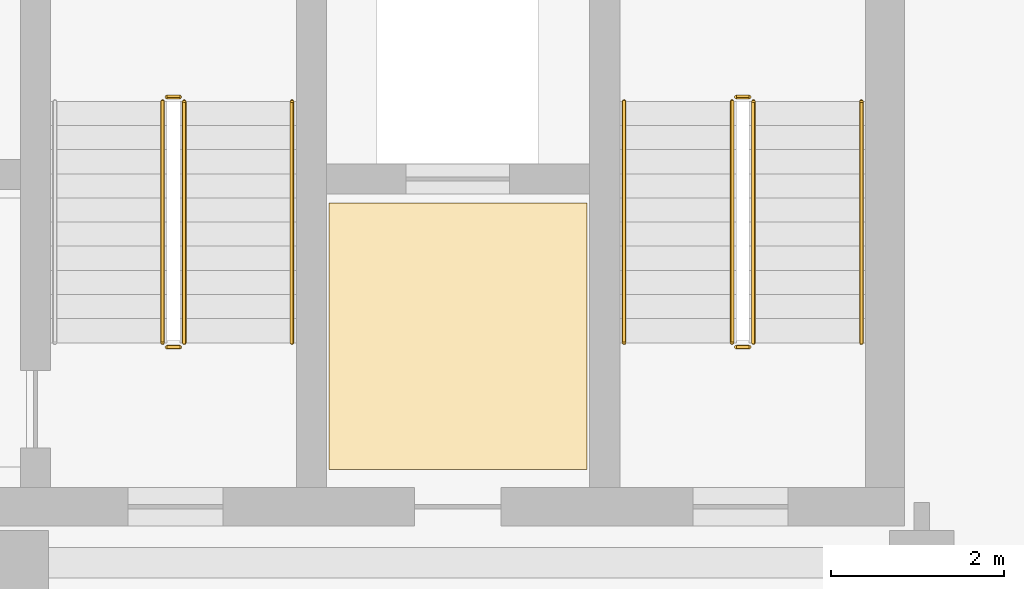
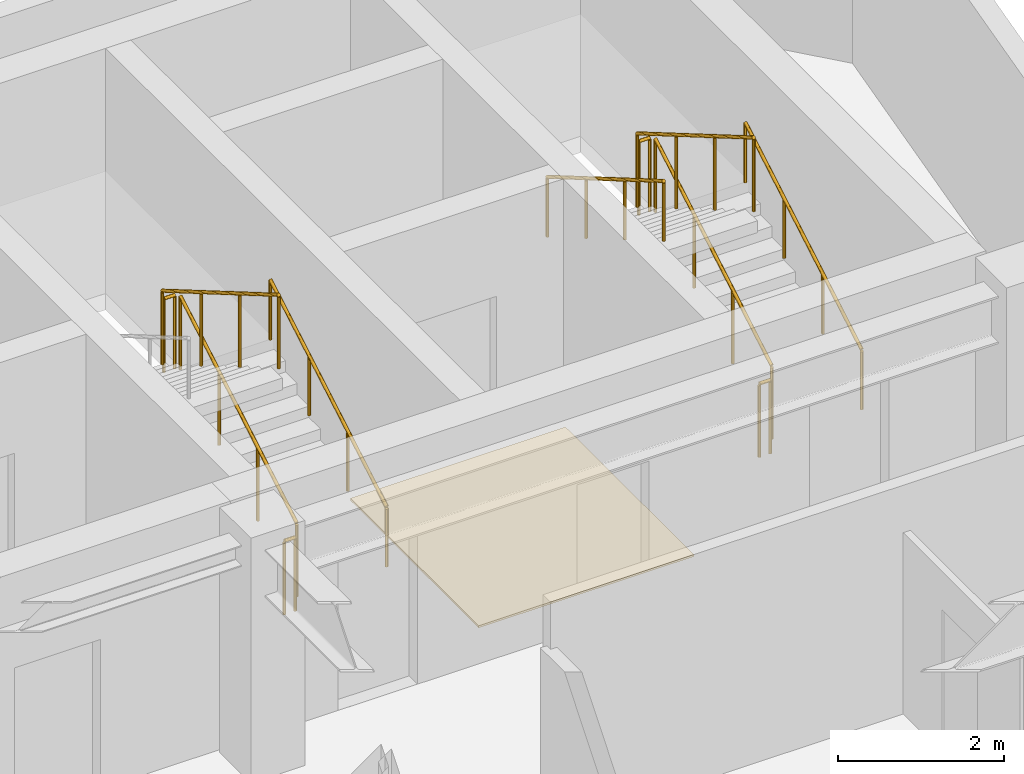
# One storey, part 17 of 17: 11 railings, 1 covering.
"""IFC4 building model written with IfcOpenShell, lengths in metres."""

from ifc_helpers import new_model, si_unit, direction, frame, origin, origin_2d, place, context, subcontext, project, spatial, polyline, circle, outline, extrude, material, layer, layer_set, type_object, element, save


model = new_model("IFC4")

# Units and contexts
model_context = context("Model", 3, precision=1e-05, world=origin(), true_north=direction((0.0, 1.0)))
body_context = subcontext(model_context, "Body", "Model", "MODEL_VIEW")
ifc_project = project(units=[si_unit("LENGTHUNIT", "METRE"), si_unit("AREAUNIT", "SQUARE_METRE"), si_unit("VOLUMEUNIT", "CUBIC_METRE"), si_unit("PLANEANGLEUNIT", "RADIAN"), si_unit("MASSUNIT", "GRAM", prefix="KILO")], contexts=[model_context])

# Site, building, storey
site_placement = place(None, origin())
site = spatial("IfcSite", under=ifc_project, at=site_placement, CompositionType="ELEMENT")
building_placement = place(site_placement, origin())
building = spatial("IfcBuilding", under=site, at=building_placement, Name="Kravanh Interchange Tower", CompositionType="ELEMENT")
storey_placement = place(building_placement, frame((0.0, 0.0, 263.39990234375)))
storey = spatial("IfcBuildingStorey", under=building, at=storey_placement, Name="L64", CompositionType="ELEMENT", Elevation=263.39990234375)

# Covering
ifc_material_1 = material(Name="Cementitious Terrazzo Tile")
ifc_layer_1 = layer(ifc_material_1, 0.030029296875)
ifc_layer_set_1 = layer_set([ifc_layer_1], Name="Honed Terrazzo Lobby Flooring 30mm")
covering_type = type_object("IfcCoveringType", Name="Honed Terrazzo Lobby Flooring 30mm", PredefinedType="FLOORING", material=ifc_layer_set_1)
covering_placement = place(storey_placement, origin())
element("IfcCovering", 1, at=covering_placement, inside=storey, type_object=covering_type, Name="L64 Service Lift Lobby Floor Finish", PredefinedType="FLOORING", context=body_context, shape_type="SweptSolid", body=[
    extrude(outline(polyline([(59.6298828125, 41.52001953125), (62.6201171875, 41.52001953125), (62.6201171875, 38.429931640625), (59.6298828125, 38.429931640625), (59.6298828125, 41.52001953125)])), origin(), (0.0, 0.0, 1.0), 0.030029296875),
])

# Railings
ifc_material_2 = material(Name="Structural Steel S355", Category="steel")
ifc_layer_2 = layer(ifc_material_2, 0.050048828125)
ifc_layer_set_2 = layer_set([ifc_layer_2], Name="Stair Well Guardrail Structural Steel S355 1100mm")
railing_type_1 = type_object("IfcRailingType", Name="Stair Well Guardrail Structural Steel S355 1100mm", PredefinedType="GUARDRAIL", material=ifc_layer_set_2)
railing_1_placement = place(storey_placement, frame((64.550048828125, 39.89990234375, 0.163818359375)))
element("IfcRailing", 2, at=railing_1_placement, inside=storey, type_object=railing_type_1, Name="L64 ST1 stair guard 1", PredefinedType="GUARDRAIL", context=body_context, shape_type="SweptSolid", body=[
    extrude(circle(Radius=0.02392578125, at=origin_2d()), frame((0.0, 0.0, 1.076171875), z_axis=(0.0, 0.863393664356, 0.504530851732), x_axis=(-1.0, 0.0, 0.0)), (0.0, 0.0, 1.0), 3.2431640625),
    extrude(circle(Radius=0.02099609375, at=origin_2d()), origin(), (0.0, 0.0, 1.0), 1.052001953125),
    extrude(circle(Radius=0.02099609375, at=origin_2d()), frame((0.0, 0.933349609375, 0.54541015625)), (0.0, 0.0, 1.0), 1.052001953125),
    extrude(circle(Radius=0.02099609375, at=origin_2d()), frame((0.0, 1.86669921875, 1.0908203125)), (0.0, 0.0, 1.0), 1.052001953125),
    extrude(circle(Radius=0.02099609375, at=origin_2d()), frame((0.0, 2.800048828125, 1.63623046875)), (0.0, 0.0, 1.0), 1.052001953125),
])
railing_2_placement = place(storey_placement, frame((64.5, 42.75, 1.800048828125)))
element("IfcRailing", 3, at=railing_2_placement, inside=storey, type_object=railing_type_1, Name="L64 ST1 stair guard 2", PredefinedType="GUARDRAIL", context=body_context, shape_type="SweptSolid", body=[
    extrude(circle(Radius=0.02392578125, at=origin_2d()), frame((0.0, 0.0, 1.076171875), z_axis=(-1.0, 0.0, 0.0), x_axis=(0.0, -1.0, 0.0)), (0.0, 0.0, 1.0), 0.14990234375),
    extrude(circle(Radius=0.02099609375, at=origin_2d()), origin(), (0.0, 0.0, 1.0), 1.052001953125),
    extrude(circle(Radius=0.02099609375, at=origin_2d()), frame((-0.14990234375, 0.0, 0.0)), (0.0, 0.0, 1.0), 1.052001953125),
])
railing_3_placement = place(storey_placement, frame((64.300048828125, 42.699951171875, 1.963623046875)))
element("IfcRailing", 4, at=railing_3_placement, inside=storey, type_object=railing_type_1, Name="L64 ST1 stair guard 3", PredefinedType="GUARDRAIL", context=body_context, shape_type="SweptSolid", body=[
    extrude(circle(Radius=0.02392578125, at=origin_2d()), frame((0.0, 0.0, 1.076171875), z_axis=(0.0, -0.863360870873, 0.504586966384), x_axis=(1.0, 0.0, 0.0)), (0.0, 0.0, 1.0), 3.2431640625),
    extrude(circle(Radius=0.02099609375, at=origin_2d()), origin(), (0.0, 0.0, 1.0), 1.052001953125),
    extrude(circle(Radius=0.02099609375, at=origin_2d()), frame((0.0, -0.933349609375, 0.54541015625)), (0.0, 0.0, 1.0), 1.052001953125),
    extrude(circle(Radius=0.02099609375, at=origin_2d()), frame((0.0, -1.86669921875, 1.091064453125)), (0.0, 0.0, 1.0), 1.052001953125),
    extrude(circle(Radius=0.02099609375, at=origin_2d()), frame((0.0, -2.800048828125, 1.636474609375)), (0.0, 0.0, 1.0), 1.052001953125),
])
railing_4_placement = place(storey_placement, frame((64.5, 39.85009765625, 0.0)))
element("IfcRailing", 5, at=railing_4_placement, inside=storey, type_object=railing_type_1, Name="L64 ST1 stair guard 4", PredefinedType="GUARDRAIL", context=body_context, shape_type="SweptSolid", body=[
    extrude(circle(Radius=0.02392578125, at=origin_2d()), frame((0.0, 0.0, 1.076171875), z_axis=(-1.0, 0.0, 0.0), x_axis=(0.0, -1.0, 0.0)), (0.0, 0.0, 1.0), 0.14990234375),
    extrude(circle(Radius=0.02099609375, at=origin_2d()), origin(), (0.0, 0.0, 1.0), 1.052001953125),
    extrude(circle(Radius=0.02099609375, at=origin_2d()), frame((-0.14990234375, 0.0, 0.0)), (0.0, 0.0, 1.0), 1.052001953125),
])
railing_5_placement = place(storey_placement, frame((57.949951171875, 39.89990234375, 0.163818359375)))
element("IfcRailing", 6, at=railing_5_placement, inside=storey, type_object=railing_type_1, Name="L64 ST2 stair guard 1", PredefinedType="GUARDRAIL", context=body_context, shape_type="SweptSolid", body=[
    extrude(circle(Radius=0.02392578125, at=origin_2d()), frame((0.0, 0.0, 1.076171875), z_axis=(0.0, 0.863393664356, 0.504530851732), x_axis=(-1.0, 0.0, 0.0)), (0.0, 0.0, 1.0), 3.2431640625),
    extrude(circle(Radius=0.02099609375, at=origin_2d()), origin(), (0.0, 0.0, 1.0), 1.052001953125),
    extrude(circle(Radius=0.02099609375, at=origin_2d()), frame((0.0, 0.933349609375, 0.54541015625)), (0.0, 0.0, 1.0), 1.052001953125),
    extrude(circle(Radius=0.02099609375, at=origin_2d()), frame((0.0, 1.86669921875, 1.0908203125)), (0.0, 0.0, 1.0), 1.052001953125),
    extrude(circle(Radius=0.02099609375, at=origin_2d()), frame((0.0, 2.800048828125, 1.63623046875)), (0.0, 0.0, 1.0), 1.052001953125),
])
railing_6_placement = place(storey_placement, frame((57.89990234375, 42.75, 1.800048828125)))
element("IfcRailing", 7, at=railing_6_placement, inside=storey, type_object=railing_type_1, Name="L64 ST2 stair guard 2", PredefinedType="GUARDRAIL", context=body_context, shape_type="SweptSolid", body=[
    extrude(circle(Radius=0.02392578125, at=origin_2d()), frame((0.0, 0.0, 1.076171875), z_axis=(-1.0, 0.0, 0.0), x_axis=(0.0, -1.0, 0.0)), (0.0, 0.0, 1.0), 0.14990234375),
    extrude(circle(Radius=0.02099609375, at=origin_2d()), origin(), (0.0, 0.0, 1.0), 1.052001953125),
    extrude(circle(Radius=0.02099609375, at=origin_2d()), frame((-0.14990234375, 0.0, 0.0)), (0.0, 0.0, 1.0), 1.052001953125),
])
railing_7_placement = place(storey_placement, frame((57.699951171875, 42.699951171875, 1.963623046875)))
element("IfcRailing", 8, at=railing_7_placement, inside=storey, type_object=railing_type_1, Name="L64 ST2 stair guard 3", PredefinedType="GUARDRAIL", context=body_context, shape_type="SweptSolid", body=[
    extrude(circle(Radius=0.02392578125, at=origin_2d()), frame((0.0, 0.0, 1.076171875), z_axis=(0.0, -0.863360870873, 0.504586966384), x_axis=(1.0, 0.0, 0.0)), (0.0, 0.0, 1.0), 3.2431640625),
    extrude(circle(Radius=0.02099609375, at=origin_2d()), origin(), (0.0, 0.0, 1.0), 1.052001953125),
    extrude(circle(Radius=0.02099609375, at=origin_2d()), frame((0.0, -0.933349609375, 0.54541015625)), (0.0, 0.0, 1.0), 1.052001953125),
    extrude(circle(Radius=0.02099609375, at=origin_2d()), frame((0.0, -1.86669921875, 1.091064453125)), (0.0, 0.0, 1.0), 1.052001953125),
    extrude(circle(Radius=0.02099609375, at=origin_2d()), frame((0.0, -2.800048828125, 1.636474609375)), (0.0, 0.0, 1.0), 1.052001953125),
])
railing_8_placement = place(storey_placement, frame((57.89990234375, 39.85009765625, 0.0)))
element("IfcRailing", 9, at=railing_8_placement, inside=storey, type_object=railing_type_1, Name="L64 ST2 stair guard 4", PredefinedType="GUARDRAIL", context=body_context, shape_type="SweptSolid", body=[
    extrude(circle(Radius=0.02392578125, at=origin_2d()), frame((0.0, 0.0, 1.076171875), z_axis=(-1.0, 0.0, 0.0), x_axis=(0.0, -1.0, 0.0)), (0.0, 0.0, 1.0), 0.14990234375),
    extrude(circle(Radius=0.02099609375, at=origin_2d()), origin(), (0.0, 0.0, 1.0), 1.052001953125),
    extrude(circle(Radius=0.02099609375, at=origin_2d()), frame((-0.14990234375, 0.0, 0.0)), (0.0, 0.0, 1.0), 1.052001953125),
])
ifc_material_3 = material(Name="Stainless Steel 304", Category="steel")
ifc_layer_3 = layer(ifc_material_3, 0.044921875)
ifc_layer_set_3 = layer_set([ifc_layer_3], Name="Tubular Stair Handrail Stainless 304 900mm")
railing_type_2 = type_object("IfcRailingType", Name="Tubular Stair Handrail Stainless 304 900mm", PredefinedType="HANDRAIL", material=ifc_layer_set_3)
railing_9_placement = place(storey_placement, frame((65.800048828125, 39.89990234375, 0.163818359375)))
element("IfcRailing", 10, at=railing_9_placement, inside=storey, type_object=railing_type_2, Name="L64 ST1 stair handrail 1", PredefinedType="HANDRAIL", context=body_context, shape_type="SweptSolid", body=[
    extrude(circle(Radius=0.02392578125, at=origin_2d()), frame((0.0, 0.0, 0.8759765625), z_axis=(0.0, 0.863393664356, 0.504530851732), x_axis=(-1.0, 0.0, 0.0)), (0.0, 0.0, 1.0), 3.2431640625),
    extrude(circle(Radius=0.02099609375, at=origin_2d()), origin(), (0.0, 0.0, 1.0), 0.851806640625),
    extrude(circle(Radius=0.02099609375, at=origin_2d()), frame((0.0, 0.933349609375, 0.54541015625)), (0.0, 0.0, 1.0), 0.851806640625),
    extrude(circle(Radius=0.02099609375, at=origin_2d()), frame((0.0, 1.86669921875, 1.0908203125)), (0.0, 0.0, 1.0), 0.851806640625),
    extrude(circle(Radius=0.02099609375, at=origin_2d()), frame((0.0, 2.800048828125, 1.63623046875)), (0.0, 0.0, 1.0), 0.851806640625),
])
railing_10_placement = place(storey_placement, frame((63.050048828125, 42.699951171875, 1.963623046875)))
element("IfcRailing", 11, at=railing_10_placement, inside=storey, type_object=railing_type_2, Name="L64 ST1 stair handrail 2", PredefinedType="HANDRAIL", context=body_context, shape_type="SweptSolid", body=[
    extrude(circle(Radius=0.02392578125, at=origin_2d()), frame((0.0, 0.0, 0.8759765625), z_axis=(0.0, -0.863360870873, 0.504586966384), x_axis=(1.0, 0.0, 0.0)), (0.0, 0.0, 1.0), 3.2431640625),
    extrude(circle(Radius=0.02099609375, at=origin_2d()), origin(), (0.0, 0.0, 1.0), 0.851806640625),
    extrude(circle(Radius=0.02099609375, at=origin_2d()), frame((0.0, -0.933349609375, 0.54541015625)), (0.0, 0.0, 1.0), 0.851806640625),
    extrude(circle(Radius=0.02099609375, at=origin_2d()), frame((0.0, -1.86669921875, 1.091064453125)), (0.0, 0.0, 1.0), 0.851806640625),
    extrude(circle(Radius=0.02099609375, at=origin_2d()), frame((0.0, -2.800048828125, 1.636474609375)), (0.0, 0.0, 1.0), 0.851806640625),
])
railing_11_placement = place(storey_placement, frame((59.199951171875, 39.89990234375, 0.163818359375)))
element("IfcRailing", 12, at=railing_11_placement, inside=storey, type_object=railing_type_2, Name="L64 ST2 stair handrail 1", PredefinedType="HANDRAIL", context=body_context, shape_type="SweptSolid", body=[
    extrude(circle(Radius=0.02392578125, at=origin_2d()), frame((0.0, 0.0, 0.8759765625), z_axis=(0.0, 0.863393664356, 0.504530851732), x_axis=(-1.0, 0.0, 0.0)), (0.0, 0.0, 1.0), 3.2431640625),
    extrude(circle(Radius=0.02099609375, at=origin_2d()), origin(), (0.0, 0.0, 1.0), 0.851806640625),
    extrude(circle(Radius=0.02099609375, at=origin_2d()), frame((0.0, 0.933349609375, 0.54541015625)), (0.0, 0.0, 1.0), 0.851806640625),
    extrude(circle(Radius=0.02099609375, at=origin_2d()), frame((0.0, 1.86669921875, 1.0908203125)), (0.0, 0.0, 1.0), 0.851806640625),
    extrude(circle(Radius=0.02099609375, at=origin_2d()), frame((0.0, 2.800048828125, 1.63623046875)), (0.0, 0.0, 1.0), 0.851806640625),
])

save(model, "model.ifc")
